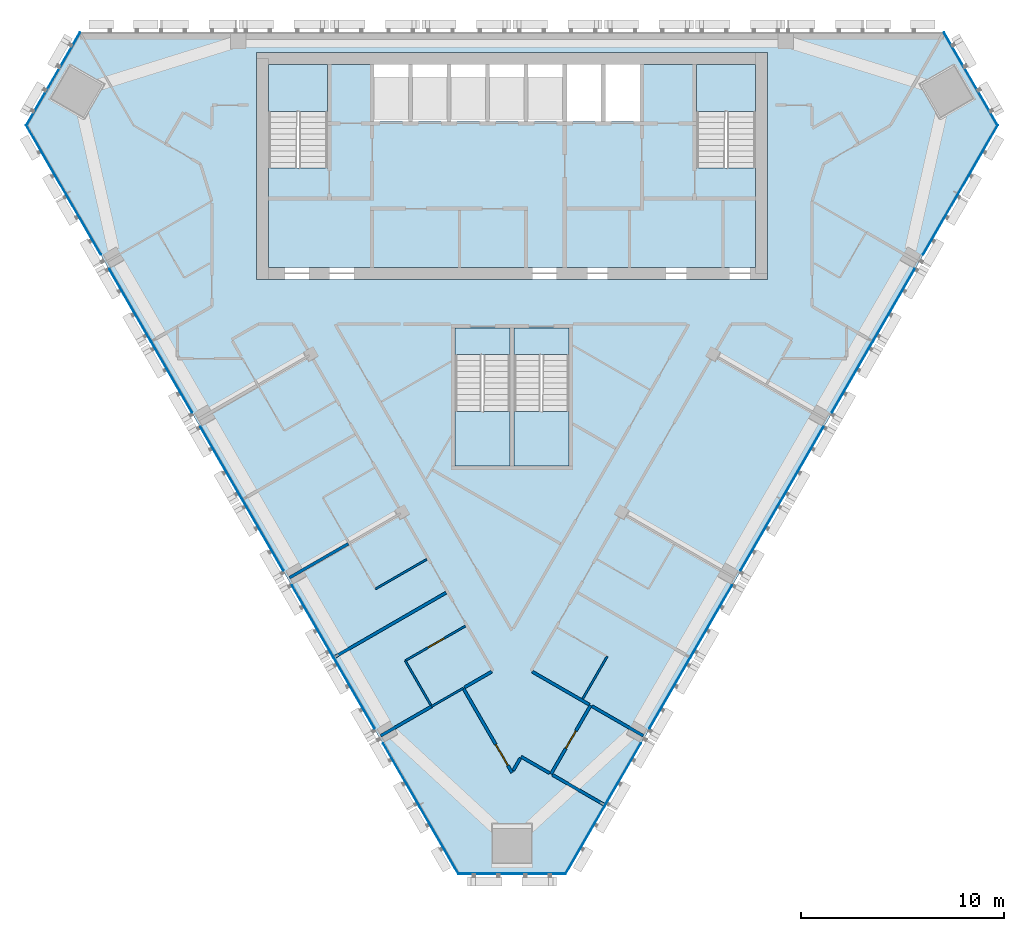
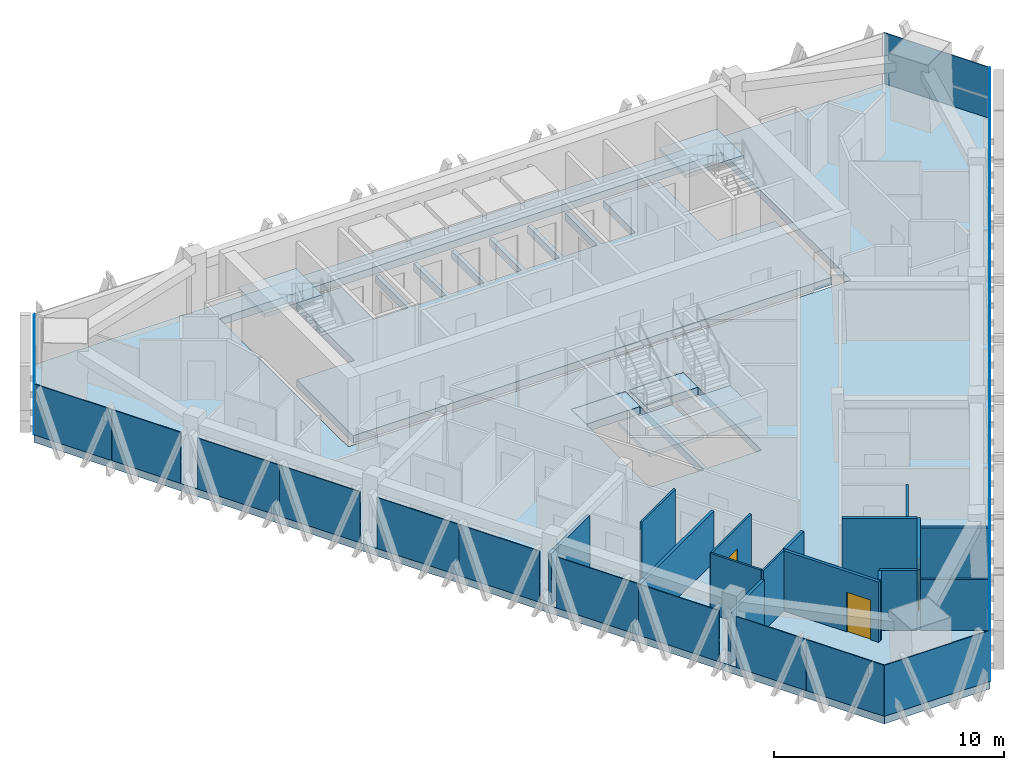
# One storey, part 7 of 15: 23 plates, 16 walls, 8 slabs, 3 doors, 3 openings, 9 elements without a shape of their own.
"""IFC4 building model written with IfcOpenShell, lengths in metres."""

from ifc_helpers import new_model, si_unit, direction, frame, frame_2d, origin, origin_2d, place, context, subcontext, project, spatial, polyline, rectangle, outline, extrude, material, layer, layer_set, type_object, element, fill, aggregate, save


model = new_model("IFC4")

# Units and contexts
model_context = context("Model", 3, precision=1e-05, world=origin(), true_north=direction((0.0, 1.0)))
body_context = subcontext(model_context, "Body", "Model", "MODEL_VIEW")
ifc_project = project(units=[si_unit("LENGTHUNIT", "METRE"), si_unit("AREAUNIT", "SQUARE_METRE"), si_unit("VOLUMEUNIT", "CUBIC_METRE"), si_unit("PLANEANGLEUNIT", "RADIAN"), si_unit("MASSUNIT", "GRAM", prefix="KILO")], contexts=[model_context])

# Site, building, storey
site_placement = place(None, origin())
site = spatial("IfcSite", under=ifc_project, at=site_placement, CompositionType="ELEMENT")
building_placement = place(site_placement, origin())
building = spatial("IfcBuilding", under=site, at=building_placement, Name="Altiplano Prism Tower", CompositionType="ELEMENT")
storey_placement = place(building_placement, frame((0.0, 0.0, 246.39990234375)))
storey = spatial("IfcBuildingStorey", under=building, at=storey_placement, Name="L63", CompositionType="ELEMENT", Elevation=246.39990234375)

# Curtain wall, plate
ifc_material_1 = material(Name="Aluminium and glass", Category="aluminium")
ifc_layer_1 = layer(ifc_material_1, 0.280029296875)
ifc_layer_set_1 = layer_set([ifc_layer_1], Name="Aluminium and glass")
curtain_wall_type = type_object("IfcCurtainWallType", Name="CW1 typical co-living unitised curtain wall", PredefinedType="NOTDEFINED", material=ifc_layer_set_1)
curtain_wall_1_placement = place(storey_placement, origin())
curtain_wall_1 = element("IfcCurtainWall", 1, at=curtain_wall_1_placement, inside=storey, type_object=curtain_wall_type, Name="CW1 curtain wall north-west chamfer L63", PredefinedType="NOTDEFINED")
ifc_material_2 = material(Name="Clear glass", Category="glass")
ifc_layer_2 = layer(ifc_material_2, 0.0400390625)
ifc_layer_set_2 = layer_set([ifc_layer_2], Name="Clear glass")
plate_type = type_object("IfcPlateType", Name="CW1 insulated glass unit 40", PredefinedType="CURTAIN_PANEL", material=ifc_layer_set_2)
plate_1_placement = place(storey_placement, frame((62.3759765625, 102.691162109375, 0.0), z_axis=(0.0, 0.0, 1.0), x_axis=(-0.500000016581, -0.866025394211, 0.0)))
plate_1 = element("IfcPlate", 2, at=plate_1_placement, type_object=plate_type, Name="CW1 panel", PredefinedType="CURTAIN_PANEL", context=body_context, shape_type="SweptSolid", body=[
    extrude(rectangle(XDim=5.299072265625, YDim=0.0400390625, at=origin_2d()), origin(), (0.0, 0.0, 1.0), 2.699951171875),
])
aggregate(curtain_wall_1, [plate_1])

# Curtain wall, plates
curtain_wall_2_placement = place(storey_placement, origin())
curtain_wall_2 = element("IfcCurtainWall", 3, at=curtain_wall_2_placement, inside=storey, type_object=curtain_wall_type, Name="CW1 curtain wall south-west face L63", PredefinedType="NOTDEFINED")
plate_2_placement = place(storey_placement, frame((62.025390625, 98.720458984375, 0.0), z_axis=(0.0, 0.0, 1.0), x_axis=(0.500000005713, -0.866025400486, 0.0)))
plate_2 = element("IfcPlate", 4, at=plate_2_placement, type_object=plate_type, Name="CW1 panel", PredefinedType="CURTAIN_PANEL", context=body_context, shape_type="SweptSolid", body=[
    extrude(rectangle(XDim=3.89697265625, YDim=0.0400390625, at=origin_2d()), origin(), (0.0, 0.0, 1.0), 2.699951171875),
])
plate_3_placement = place(storey_placement, frame((63.865234375, 95.53369140625, 0.0), z_axis=(0.0, 0.0, 1.0), x_axis=(0.500000005713, -0.866025400486, 0.0)))
plate_3 = element("IfcPlate", 5, at=plate_3_placement, type_object=plate_type, Name="CW1 panel", PredefinedType="CURTAIN_PANEL", context=body_context, shape_type="SweptSolid", body=[
    extrude(rectangle(XDim=3.442626953125, YDim=0.0400390625, at=origin_2d()), origin(), (0.0, 0.0, 1.0), 2.699951171875),
])
plate_4_placement = place(storey_placement, frame((66.174560546875, 91.53369140625, 0.0), z_axis=(0.0, 0.0, 1.0), x_axis=(0.500000005713, -0.866025400486, 0.0)))
plate_4 = element("IfcPlate", 6, at=plate_4_placement, type_object=plate_type, Name="CW1 panel", PredefinedType="CURTAIN_PANEL", context=body_context, shape_type="SweptSolid", body=[
    extrude(rectangle(XDim=4.114501953125, YDim=0.0400390625, at=origin_2d()), origin(), (0.0, 0.0, 1.0), 2.699951171875),
])
plate_5_placement = place(storey_placement, frame((68.217041015625, 87.99609375, 0.0), z_axis=(0.0, 0.0, 1.0), x_axis=(0.500000005713, -0.866025400486, 0.0)))
plate_5 = element("IfcPlate", 7, at=plate_5_placement, type_object=plate_type, Name="CW1 panel", PredefinedType="CURTAIN_PANEL", context=body_context, shape_type="SweptSolid", body=[
    extrude(rectangle(XDim=4.035400390625, YDim=0.0400390625, at=origin_2d()), origin(), (0.0, 0.0, 1.0), 2.699951171875),
])
plate_6_placement = place(storey_placement, frame((70.674560546875, 83.739501953125, 0.0), z_axis=(0.0, 0.0, 1.0), x_axis=(0.500000005713, -0.866025400486, 0.0)))
plate_6 = element("IfcPlate", 8, at=plate_6_placement, type_object=plate_type, Name="CW1 panel", PredefinedType="CURTAIN_PANEL", context=body_context, shape_type="SweptSolid", body=[
    extrude(rectangle(XDim=4.114501953125, YDim=0.0400390625, at=origin_2d()), origin(), (0.0, 0.0, 1.0), 2.699951171875),
])
plate_7_placement = place(storey_placement, frame((72.717041015625, 80.201904296875, 0.0), z_axis=(0.0, 0.0, 1.0), x_axis=(0.500000005713, -0.866025400486, 0.0)))
plate_7 = element("IfcPlate", 9, at=plate_7_placement, type_object=plate_type, Name="CW1 panel", PredefinedType="CURTAIN_PANEL", context=body_context, shape_type="SweptSolid", body=[
    extrude(rectangle(XDim=4.035400390625, YDim=0.0400390625, at=origin_2d()), origin(), (0.0, 0.0, 1.0), 2.699951171875),
])
plate_8_placement = place(storey_placement, frame((75.174560546875, 75.9453125, 0.0), z_axis=(0.0, 0.0, 1.0), x_axis=(0.500000005713, -0.866025400486, 0.0)))
plate_8 = element("IfcPlate", 10, at=plate_8_placement, type_object=plate_type, Name="CW1 panel", PredefinedType="CURTAIN_PANEL", context=body_context, shape_type="SweptSolid", body=[
    extrude(rectangle(XDim=4.114501953125, YDim=0.0400390625, at=origin_2d()), origin(), (0.0, 0.0, 1.0), 2.699951171875),
])
plate_9_placement = place(storey_placement, frame((77.217041015625, 72.40771484375, 0.0), z_axis=(0.0, 0.0, 1.0), x_axis=(0.500000005713, -0.866025400486, 0.0)))
plate_9 = element("IfcPlate", 11, at=plate_9_placement, type_object=plate_type, Name="CW1 panel", PredefinedType="CURTAIN_PANEL", context=body_context, shape_type="SweptSolid", body=[
    extrude(rectangle(XDim=4.035400390625, YDim=0.0400390625, at=origin_2d()), origin(), (0.0, 0.0, 1.0), 2.699951171875),
])
plate_10_placement = place(storey_placement, frame((79.5263671875, 68.407958984375, 0.0), z_axis=(0.0, 0.0, 1.0), x_axis=(0.500000005713, -0.866025400486, 0.0)))
plate_10 = element("IfcPlate", 12, at=plate_10_placement, type_object=plate_type, Name="CW1 panel", PredefinedType="CURTAIN_PANEL", context=body_context, shape_type="SweptSolid", body=[
    extrude(rectangle(XDim=3.521484375, YDim=0.0400390625, at=origin_2d()), origin(), (0.0, 0.0, 1.0), 2.699951171875),
])
plate_11_placement = place(storey_placement, frame((81.385986328125, 65.186767578125, 0.0), z_axis=(0.0, 0.0, 1.0), x_axis=(0.500000005713, -0.866025400486, 0.0)))
plate_11 = element("IfcPlate", 13, at=plate_11_placement, type_object=plate_type, Name="CW1 panel", PredefinedType="CURTAIN_PANEL", context=body_context, shape_type="SweptSolid", body=[
    extrude(rectangle(XDim=3.89697265625, YDim=0.0400390625, at=origin_2d()), origin(), (0.0, 0.0, 1.0), 2.699951171875),
])
aggregate(curtain_wall_2, [plate_2, plate_3, plate_4, plate_5, plate_6, plate_7, plate_8, plate_9, plate_10, plate_11])

# Curtain wall, plate
curtain_wall_3_placement = place(storey_placement, origin())
curtain_wall_3 = element("IfcCurtainWall", 14, at=curtain_wall_3_placement, inside=storey, type_object=curtain_wall_type, Name="CW1 curtain wall south chamfer L63", PredefinedType="NOTDEFINED")
plate_12_placement = place(storey_placement, frame((85.0, 63.505126953125, 0.0), z_axis=(0.0, 0.0, 1.0), x_axis=(1.0, 0.0, 0.0)))
plate_12 = element("IfcPlate", 15, at=plate_12_placement, type_object=plate_type, Name="CW1 panel", PredefinedType="CURTAIN_PANEL", context=body_context, shape_type="SweptSolid", body=[
    extrude(rectangle(XDim=5.299072265625, YDim=0.0400390625, at=origin_2d()), origin(), (0.0, 0.0, 1.0), 2.699951171875),
])
aggregate(curtain_wall_3, [plate_12])

# Curtain wall, plates
curtain_wall_4_placement = place(storey_placement, origin())
curtain_wall_4 = element("IfcCurtainWall", 16, at=curtain_wall_4_placement, inside=storey, type_object=curtain_wall_type, Name="CW1 curtain wall south-east face L63", PredefinedType="NOTDEFINED")
plate_13_placement = place(storey_placement, frame((88.614013671875, 65.186767578125, 0.0), z_axis=(0.0, 0.0, 1.0), x_axis=(0.500000005713, 0.866025400486, 0.0)))
plate_13 = element("IfcPlate", 17, at=plate_13_placement, type_object=plate_type, Name="CW1 panel", PredefinedType="CURTAIN_PANEL", context=body_context, shape_type="SweptSolid", body=[
    extrude(rectangle(XDim=3.89697265625, YDim=0.0400390625, at=origin_2d()), origin(), (0.0, 0.0, 1.0), 2.699951171875),
])
plate_14_placement = place(storey_placement, frame((90.4736328125, 68.407958984375, 0.0), z_axis=(0.0, 0.0, 1.0), x_axis=(0.500000005713, 0.866025400486, 0.0)))
plate_14 = element("IfcPlate", 18, at=plate_14_placement, type_object=plate_type, Name="CW1 panel", PredefinedType="CURTAIN_PANEL", context=body_context, shape_type="SweptSolid", body=[
    extrude(rectangle(XDim=3.521484375, YDim=0.0400390625, at=origin_2d()), origin(), (0.0, 0.0, 1.0), 2.699951171875),
])
plate_15_placement = place(storey_placement, frame((92.782958984375, 72.40771484375, 0.0), z_axis=(0.0, 0.0, 1.0), x_axis=(0.500000005713, 0.866025400486, 0.0)))
plate_15 = element("IfcPlate", 19, at=plate_15_placement, type_object=plate_type, Name="CW1 panel", PredefinedType="CURTAIN_PANEL", context=body_context, shape_type="SweptSolid", body=[
    extrude(rectangle(XDim=4.035400390625, YDim=0.0400390625, at=origin_2d()), origin(), (0.0, 0.0, 1.0), 2.699951171875),
])
plate_16_placement = place(storey_placement, frame((94.825439453125, 75.9453125, 0.0), z_axis=(0.0, 0.0, 1.0), x_axis=(0.500000005713, 0.866025400486, 0.0)))
plate_16 = element("IfcPlate", 20, at=plate_16_placement, type_object=plate_type, Name="CW1 panel", PredefinedType="CURTAIN_PANEL", context=body_context, shape_type="SweptSolid", body=[
    extrude(rectangle(XDim=4.114501953125, YDim=0.0400390625, at=origin_2d()), origin(), (0.0, 0.0, 1.0), 2.699951171875),
])
plate_17_placement = place(storey_placement, frame((97.282958984375, 80.201904296875, 0.0), z_axis=(0.0, 0.0, 1.0), x_axis=(0.500000005713, 0.866025400486, 0.0)))
plate_17 = element("IfcPlate", 21, at=plate_17_placement, type_object=plate_type, Name="CW1 panel", PredefinedType="CURTAIN_PANEL", context=body_context, shape_type="SweptSolid", body=[
    extrude(rectangle(XDim=4.035400390625, YDim=0.0400390625, at=origin_2d()), origin(), (0.0, 0.0, 1.0), 2.699951171875),
])
plate_18_placement = place(storey_placement, frame((99.325439453125, 83.739501953125, 0.0), z_axis=(0.0, 0.0, 1.0), x_axis=(0.500000005713, 0.866025400486, 0.0)))
plate_18 = element("IfcPlate", 22, at=plate_18_placement, type_object=plate_type, Name="CW1 panel", PredefinedType="CURTAIN_PANEL", context=body_context, shape_type="SweptSolid", body=[
    extrude(rectangle(XDim=4.114501953125, YDim=0.0400390625, at=origin_2d()), origin(), (0.0, 0.0, 1.0), 2.699951171875),
])
plate_19_placement = place(storey_placement, frame((101.782958984375, 87.99609375, 0.0), z_axis=(0.0, 0.0, 1.0), x_axis=(0.500000005713, 0.866025400486, 0.0)))
plate_19 = element("IfcPlate", 23, at=plate_19_placement, type_object=plate_type, Name="CW1 panel", PredefinedType="CURTAIN_PANEL", context=body_context, shape_type="SweptSolid", body=[
    extrude(rectangle(XDim=4.035400390625, YDim=0.0400390625, at=origin_2d()), origin(), (0.0, 0.0, 1.0), 2.699951171875),
])
plate_20_placement = place(storey_placement, frame((103.825439453125, 91.53369140625, 0.0), z_axis=(0.0, 0.0, 1.0), x_axis=(0.500000005713, 0.866025400486, 0.0)))
plate_20 = element("IfcPlate", 24, at=plate_20_placement, type_object=plate_type, Name="CW1 panel", PredefinedType="CURTAIN_PANEL", context=body_context, shape_type="SweptSolid", body=[
    extrude(rectangle(XDim=4.114501953125, YDim=0.0400390625, at=origin_2d()), origin(), (0.0, 0.0, 1.0), 2.699951171875),
])
plate_21_placement = place(storey_placement, frame((106.134765625, 95.53369140625, 0.0), z_axis=(0.0, 0.0, 1.0), x_axis=(0.500000005713, 0.866025400486, 0.0)))
plate_21 = element("IfcPlate", 25, at=plate_21_placement, type_object=plate_type, Name="CW1 panel", PredefinedType="CURTAIN_PANEL", context=body_context, shape_type="SweptSolid", body=[
    extrude(rectangle(XDim=3.442626953125, YDim=0.0400390625, at=origin_2d()), origin(), (0.0, 0.0, 1.0), 2.699951171875),
])
plate_22_placement = place(storey_placement, frame((107.974609375, 98.720458984375, 0.0), z_axis=(0.0, 0.0, 1.0), x_axis=(0.500000005713, 0.866025400486, 0.0)))
plate_22 = element("IfcPlate", 26, at=plate_22_placement, type_object=plate_type, Name="CW1 panel", PredefinedType="CURTAIN_PANEL", context=body_context, shape_type="SweptSolid", body=[
    extrude(rectangle(XDim=3.89697265625, YDim=0.0400390625, at=origin_2d()), origin(), (0.0, 0.0, 1.0), 2.699951171875),
])
aggregate(curtain_wall_4, [plate_13, plate_14, plate_15, plate_16, plate_17, plate_18, plate_19, plate_20, plate_21, plate_22])

# Curtain wall, plate
curtain_wall_5_placement = place(storey_placement, origin())
curtain_wall_5 = element("IfcCurtainWall", 27, at=curtain_wall_5_placement, inside=storey, type_object=curtain_wall_type, Name="CW1 curtain wall north-east chamfer L63", PredefinedType="NOTDEFINED")
plate_23_placement = place(storey_placement, frame((107.6240234375, 102.691162109375, 0.0), z_axis=(0.0, 0.0, 1.0), x_axis=(-0.500000016581, 0.866025394211, 0.0)))
plate_23 = element("IfcPlate", 28, at=plate_23_placement, type_object=plate_type, Name="CW1 panel", PredefinedType="CURTAIN_PANEL", context=body_context, shape_type="SweptSolid", body=[
    extrude(rectangle(XDim=5.299072265625, YDim=0.0400390625, at=origin_2d()), origin(), (0.0, 0.0, 1.0), 2.699951171875),
])
aggregate(curtain_wall_5, [plate_23])

# Slabs
ifc_material_3 = material(Name="Concrete C40/50", Category="concrete")
ifc_layer_3 = layer(ifc_material_3, 0.39990234375)
ifc_layer_set_3 = layer_set([ifc_layer_3], Name="Concrete C40/50")
slab_type_1 = type_object("IfcSlabType", Name="Core floor slab 400", PredefinedType="FLOOR", material=ifc_layer_set_3)
slab_1_placement = place(storey_placement, frame((0.0, 0.0, -0.39990234375)))
element("IfcSlab", 29, at=slab_1_placement, inside=storey, type_object=slab_type_1, Name="Core floor slab L63", PredefinedType="FLOOR", context=body_context, shape_type="SweptSolid", body=[
    extrude(outline(polyline([(97.0, 98.31005859375), (94.10009765625, 98.31005859375), (94.10009765625, 103.39990234375), (91.300048828125, 103.39990234375), (91.300048828125, 100.60009765625), (89.60009765625, 100.60009765625), (89.60009765625, 103.39990234375), (89.39990234375, 103.39990234375), (89.39990234375, 100.60009765625), (87.699951171875, 100.60009765625), (87.699951171875, 103.39990234375), (87.5, 103.39990234375), (87.5, 100.60009765625), (85.800048828125, 100.60009765625), (85.800048828125, 103.39990234375), (85.60009765625, 103.39990234375), (85.60009765625, 100.60009765625), (83.89990234375, 100.60009765625), (83.89990234375, 103.39990234375), (83.699951171875, 103.39990234375), (83.699951171875, 100.60009765625), (82.0, 100.60009765625), (82.0, 103.39990234375), (81.800048828125, 103.39990234375), (81.800048828125, 100.60009765625), (80.10009765625, 100.60009765625), (80.10009765625, 103.39990234375), (79.89990234375, 103.39990234375), (79.89990234375, 100.60009765625), (78.199951171875, 100.60009765625), (78.199951171875, 103.39990234375), (75.89990234375, 103.39990234375), (75.89990234375, 98.31005859375), (73.0, 98.31005859375), (73.0, 93.39990234375), (97.0, 93.39990234375), (97.0, 98.31005859375)])), origin(), (0.0, 0.0, 1.0), 0.39990234375),
])
slab_2_placement = place(storey_placement, frame((0.0, 0.0, -0.39990234375)))
element("IfcSlab", 30, at=slab_2_placement, inside=storey, type_object=slab_type_1, Name="Stair 3A landing slab L63", PredefinedType="FLOOR", context=body_context, shape_type="SweptSolid", body=[
    extrude(outline(polyline([(82.199951171875, 89.096923828125), (84.89990234375, 89.096923828125), (84.89990234375, 90.39990234375), (82.199951171875, 90.39990234375), (82.199951171875, 89.096923828125)])), origin(), (0.0, 0.0, 1.0), 0.39990234375),
])
slab_3_placement = place(storey_placement, frame((0.0, 0.0, -0.39990234375)))
element("IfcSlab", 31, at=slab_3_placement, inside=storey, type_object=slab_type_1, Name="Stair 3B landing slab L63", PredefinedType="FLOOR", context=body_context, shape_type="SweptSolid", body=[
    extrude(outline(polyline([(85.10009765625, 89.096923828125), (87.800048828125, 89.096923828125), (87.800048828125, 90.39990234375), (85.10009765625, 90.39990234375), (85.10009765625, 89.096923828125)])), origin(), (0.0, 0.0, 1.0), 0.39990234375),
])
ifc_layer_4 = layer(ifc_material_3, 0.39990234375)
ifc_layer_set_4 = layer_set([ifc_layer_4], Name="Concrete C40/50")
slab_type_2 = type_object("IfcSlabType", Name="Post-tensioned flat slab 400", PredefinedType="FLOOR", material=ifc_layer_set_4)
slab_4_placement = place(storey_placement, frame((0.0, 0.0, -0.39990234375)))
element("IfcSlab", 32, at=slab_4_placement, inside=storey, type_object=slab_type_2, Name="Floor slab L63", PredefinedType="FLOOR", context=body_context, shape_type="SweptSolid", body=[
    extrude(outline(polyline([(82.345458984375, 63.485107421875), (61.03125, 100.402099609375), (63.685791015625, 105.0), (106.314208984375, 105.0), (108.96875, 100.402099609375), (87.654541015625, 63.485107421875), (82.345458984375, 63.485107421875)]), holes=[polyline([(72.39990234375, 104.0), (72.39990234375, 92.800048828125), (97.60009765625, 92.800048828125), (97.60009765625, 104.0), (72.39990234375, 104.0)]), polyline([(84.89990234375, 90.39990234375), (82.199951171875, 90.39990234375), (82.199951171875, 83.60009765625), (84.89990234375, 83.60009765625), (84.89990234375, 90.39990234375)]), polyline([(87.800048828125, 83.60009765625), (87.800048828125, 90.39990234375), (85.10009765625, 90.39990234375), (85.10009765625, 83.60009765625), (87.800048828125, 83.60009765625)])]), origin(), (0.0, 0.0, 1.0), 0.39990234375),
])

# Stair, slab
stair_type_1 = type_object("IfcStairType", Name="Exit stair 1400", PredefinedType="HALF_TURN_STAIR", material=ifc_material_3)
stair_1_placement = place(storey_placement, origin())
stair_1 = element("IfcStair", 33, at=stair_1_placement, inside=storey, type_object=stair_type_1, Name="L63 Exit Stair 1", PredefinedType="HALF_TURN_STAIR")
ifc_layer_5 = layer(ifc_material_3, 0.199951171875)
ifc_layer_set_5 = layer_set([ifc_layer_5], Name="Concrete C40/50")
slab_type_3 = type_object("IfcSlabType", Name="Stair landing 200", PredefinedType="LANDING", material=ifc_layer_set_5)
slab_5_placement = place(storey_placement, frame((0.0, 0.0, 1.60009765625)))
slab_5 = element("IfcSlab", 34, at=slab_5_placement, type_object=slab_type_3, Name="ST1 landing 1", PredefinedType="LANDING", context=body_context, shape_type="SweptSolid", body=[
    extrude(outline(polyline([(75.89990234375, 101.096923828125), (75.89990234375, 103.39990234375), (73.0, 103.39990234375), (73.0, 101.096923828125), (75.89990234375, 101.096923828125)])), origin(), (0.0, 0.0, 1.0), 0.199951171875),
])
aggregate(stair_1, [slab_5])

stair_2_placement = place(storey_placement, origin())
stair_2 = element("IfcStair", 35, at=stair_2_placement, inside=storey, type_object=stair_type_1, Name="L63 Exit Stair 2", PredefinedType="HALF_TURN_STAIR")
slab_6_placement = place(storey_placement, frame((0.0, 0.0, 1.60009765625)))
slab_6 = element("IfcSlab", 36, at=slab_6_placement, type_object=slab_type_3, Name="ST2 landing 1", PredefinedType="LANDING", context=body_context, shape_type="SweptSolid", body=[
    extrude(outline(polyline([(97.0, 101.096923828125), (97.0, 103.39990234375), (94.10009765625, 103.39990234375), (94.10009765625, 101.096923828125), (97.0, 101.096923828125)])), origin(), (0.0, 0.0, 1.0), 0.199951171875),
])
aggregate(stair_2, [slab_6])

stair_type_2 = type_object("IfcStairType", Name="Exit stair 1300", PredefinedType="HALF_TURN_STAIR", material=ifc_material_3)
stair_3_placement = place(storey_placement, origin())
stair_3 = element("IfcStair", 37, at=stair_3_placement, inside=storey, type_object=stair_type_2, Name="L63 Exit Stair 3A", PredefinedType="HALF_TURN_STAIR")
slab_7_placement = place(storey_placement, frame((0.0, 0.0, 1.60009765625)))
slab_7 = element("IfcSlab", 38, at=slab_7_placement, type_object=slab_type_3, Name="ST3A landing 1", PredefinedType="LANDING", context=body_context, shape_type="SweptSolid", body=[
    extrude(outline(polyline([(82.199951171875, 86.302978515625), (82.199951171875, 83.60009765625), (84.89990234375, 83.60009765625), (84.89990234375, 86.302978515625), (82.199951171875, 86.302978515625)])), origin(), (0.0, 0.0, 1.0), 0.199951171875),
])
aggregate(stair_3, [slab_7])

stair_4_placement = place(storey_placement, origin())
stair_4 = element("IfcStair", 39, at=stair_4_placement, inside=storey, type_object=stair_type_2, Name="L63 Exit Stair 3B", PredefinedType="HALF_TURN_STAIR")
slab_8_placement = place(storey_placement, frame((0.0, 0.0, 1.60009765625)))
slab_8 = element("IfcSlab", 40, at=slab_8_placement, type_object=slab_type_3, Name="ST3B landing 1", PredefinedType="LANDING", context=body_context, shape_type="SweptSolid", body=[
    extrude(outline(polyline([(85.10009765625, 86.302978515625), (85.10009765625, 83.60009765625), (87.800048828125, 83.60009765625), (87.800048828125, 86.302978515625), (85.10009765625, 86.302978515625)])), origin(), (0.0, 0.0, 1.0), 0.199951171875),
])
aggregate(stair_4, [slab_8])

# Walls
ifc_material_4 = material(Name="Plasterboard on steel stud", Category="steel")
ifc_layer_6 = layer(ifc_material_4, 0.10009765625)
ifc_layer_set_6 = layer_set([ifc_layer_6], Name="Plasterboard on steel stud")
wall_type_1 = type_object("IfcWallType", Name="Partition 100 unit", PredefinedType="PARTITIONING", material=ifc_layer_set_6)
wall_1_placement = place(storey_placement, frame((80.802490234375, 79.00732421875, 0.0), z_axis=(0.0, 0.0, 1.0), x_axis=(-0.866025730634, -0.499999433879, 0.0)))
element("IfcWall", 41, at=wall_1_placement, inside=storey, type_object=wall_type_1, Name="Partition P02 L63 061", PredefinedType="PARTITIONING", context=body_context, shape_type="SweptSolid", body=[
    extrude(rectangle(XDim=2.9248046875, YDim=0.10009765625, at=frame_2d((1.46240234375, 0.0))), origin(), (0.0, 0.0, 1.0), 3.2001953125),
])
wall_2_placement = place(storey_placement, frame((80.9990234375, 71.817138671875, 0.0), z_axis=(0.0, 0.0, 1.0), x_axis=(-0.499976333282, 0.866039067339, 0.0)))
element("IfcWall", 42, at=wall_2_placement, inside=storey, type_object=wall_type_1, Name="Partition P02 L63 063", PredefinedType="PARTITIONING", context=body_context, shape_type="SweptSolid", body=[
    extrude(rectangle(XDim=2.52490234375, YDim=0.10009765625, at=frame_2d((1.262451171875, 0.0))), origin(), (0.0, 0.0, 1.0), 3.2001953125),
])

# Wall, opening, door
wall_3_placement = place(storey_placement, frame((79.736572265625, 74.00390625, 0.0), z_axis=(0.0, 0.0, 1.0), x_axis=(0.866001587311, 0.500041249073, 0.0)))
wall_3 = element("IfcWall", 43, at=wall_3_placement, inside=storey, type_object=wall_type_1, Name="Partition P02 L63 064", PredefinedType="PARTITIONING", context=body_context, shape_type="SweptSolid", body=[
    extrude(rectangle(XDim=3.425048828125, YDim=0.10009765625, at=frame_2d((1.71240234375, 0.0))), origin(), (0.0, 0.0, 1.0), 3.2001953125),
])
opening_1_placement = place(wall_3_placement, frame((1.300048828125, 0.0, 0.0)))
opening_1 = element("IfcOpeningElement", 44, at=opening_1_placement, cuts=wall_3, Name="Opening D2063", PredefinedType="OPENING", context=body_context, shape_type="SweptSolid", body=[
    extrude(rectangle(XDim=0.89990234375, YDim=2.10009765625, at=frame_2d((0.449951171875, 1.050048828125))), frame((0.0, 0.060546875, 0.0), z_axis=(0.0, -1.0, 0.0), x_axis=(1.0, 0.0, 0.0)), (0.0, 0.0, 1.0), 0.12109375),
])
ifc_material_5 = material(Name="Timber", Category="wood")
door_type_1 = type_object("IfcDoorType", Name="Accessible ensuite door 900 x 2100", OperationType="NOTDEFINED", PredefinedType="NOTDEFINED", material=ifc_material_5)
door_1_placement = place(opening_1_placement, origin())
door_1 = element("IfcDoor", 45, at=door_1_placement, inside=storey, type_object=door_type_1, Name="Door D2063", OperationType="SINGLE_SWING_LEFT", OverallHeight=2.10009765625, OverallWidth=0.89990234375, PredefinedType="NOTDEFINED", context=body_context, shape_type="SweptSolid", body=[
    extrude(rectangle(XDim=0.89990234375, YDim=2.10009765625, at=frame_2d((0.449951171875, 1.050048828125))), frame((0.0, 0.02490234375, 0.0), z_axis=(0.0, -1.0, 0.0), x_axis=(1.0, 0.0, 0.0)), (0.0, 0.0, 1.0), 0.050048828125),
])
fill(opening_1, door_1)

# Walls
wall_4_placement = place(storey_placement, frame((89.69384765625, 74.21728515625, 0.0), z_axis=(0.0, 0.0, 1.0), x_axis=(-0.499972286653, -0.866041403502, 0.0)))
element("IfcWall", 46, at=wall_4_placement, inside=storey, type_object=wall_type_1, Name="Partition P02 L63 070", PredefinedType="PARTITIONING", context=body_context, shape_type="SweptSolid", body=[
    extrude(rectangle(XDim=2.425048828125, YDim=0.10009765625, at=frame_2d((1.21240234375, 0.0))), origin(), (0.0, 0.0, 1.0), 3.2001953125),
])
ifc_layer_7 = layer(ifc_material_4, 0.10009765625)
ifc_layer_set_7 = layer_set([ifc_layer_7], Name="Plasterboard on steel stud")
wall_type_2 = type_object("IfcWallType", Name="Partition 100 wet", PredefinedType="PARTITIONING", material=ifc_layer_set_7)
wall_5_placement = place(storey_placement, frame((81.01904296875, 71.7421875, 0.0), z_axis=(0.0, 0.0, 1.0), x_axis=(0.865989003036, 0.500063042646, 0.0)))
element("IfcWall", 47, at=wall_5_placement, inside=storey, type_object=wall_type_2, Name="Partition P03 L63 066", PredefinedType="PARTITIONING", context=body_context, shape_type="SweptSolid", body=[
    extrude(rectangle(XDim=1.820068359375, YDim=0.10009765625, at=frame_2d((0.91015625, 0.0))), origin(), (0.0, 0.0, 1.0), 3.2001953125),
])
ifc_layer_8 = layer(ifc_material_4, 0.14990234375)
ifc_layer_set_8 = layer_set([ifc_layer_8], Name="Plasterboard on steel stud")
wall_type_3 = type_object("IfcWallType", Name="Partition 150 corridor", PredefinedType="PARTITIONING", material=ifc_layer_set_8)
wall_6_placement = place(storey_placement, frame((84.002685546875, 73.46484375, 0.0), z_axis=(0.0, 0.0, 1.0), x_axis=(-0.86601511528, -0.500017819788, 0.0)))
element("IfcWall", 48, at=wall_6_placement, inside=storey, type_object=wall_type_3, Name="Partition P06 L63 017", PredefinedType="PARTITIONING", context=body_context, shape_type="SweptSolid", body=[
    extrude(rectangle(XDim=1.55029296875, YDim=0.14990234375, at=frame_2d((0.775146484375, 0.0))), origin(), (0.0, 0.0, 1.0), 3.2001953125),
])

# Wall, opening, door
wall_7_placement = place(storey_placement, frame((82.59521484375, 72.65234375, 0.0), z_axis=(0.0, 0.0, 1.0), x_axis=(0.500015396624, -0.866016514357, 0.0)))
wall_7 = element("IfcWall", 49, at=wall_7_placement, inside=storey, type_object=wall_type_3, Name="Partition P06 L63 018", PredefinedType="PARTITIONING", context=body_context, shape_type="SweptSolid", body=[
    extrude(rectangle(XDim=4.809326171875, YDim=0.14990234375, at=frame_2d((2.40478515625, 0.0))), origin(), (0.0, 0.0, 1.0), 3.2001953125),
])
opening_2_placement = place(wall_7_placement, frame((3.202880859375, 0.0, 0.0)))
opening_2 = element("IfcOpeningElement", 50, at=opening_2_placement, cuts=wall_7, Name="Opening D2064", PredefinedType="OPENING", context=body_context, shape_type="SweptSolid", body=[
    extrude(rectangle(XDim=1.199951171875, YDim=2.10009765625, at=frame_2d((0.60009765625, 1.050048828125))), frame((0.0, 0.08544921875, 0.0), z_axis=(0.0, -1.0, 0.0), x_axis=(1.0, 0.0, 0.0)), (0.0, 0.0, 1.0), 0.1708984375),
])
door_type_2 = type_object("IfcDoorType", Name="Shared room door 1200 x 2100", OperationType="NOTDEFINED", PredefinedType="NOTDEFINED", material=ifc_material_5)
door_2_placement = place(opening_2_placement, origin())
door_2 = element("IfcDoor", 51, at=door_2_placement, inside=storey, type_object=door_type_2, Name="Door D2064", OperationType="SINGLE_SWING_RIGHT", OverallHeight=2.10009765625, OverallWidth=1.199951171875, PredefinedType="NOTDEFINED", context=body_context, shape_type="SweptSolid", body=[
    extrude(rectangle(XDim=1.199951171875, YDim=2.10009765625, at=frame_2d((0.60009765625, 1.050048828125))), frame((0.0, 0.02490234375, 0.0), z_axis=(0.0, -1.0, 0.0), x_axis=(1.0, 0.0, 0.0)), (0.0, 0.0, 1.0), 0.050048828125),
])
fill(opening_2, door_2)

# Walls
wall_8_placement = place(storey_placement, frame((85.06494140625, 68.599853515625, 0.0), z_axis=(0.0, 0.0, 1.0), x_axis=(0.500055883433, 0.865993137065, 0.0)))
element("IfcWall", 52, at=wall_8_placement, inside=storey, type_object=wall_type_3, Name="Partition P06 L63 019", PredefinedType="PARTITIONING", context=body_context, shape_type="SweptSolid", body=[
    extrude(rectangle(XDim=0.697265625, YDim=0.14990234375, at=frame_2d((0.3486328125, 0.0))), origin(), (0.0, 0.0, 1.0), 3.2001953125),
])
wall_9_placement = place(storey_placement, frame((85.451171875, 69.2685546875, 0.0), z_axis=(0.0, 0.0, 1.0), x_axis=(0.866015446554, -0.500017246033, 0.0)))
element("IfcWall", 53, at=wall_9_placement, inside=storey, type_object=wall_type_3, Name="Partition P06 L63 020", PredefinedType="PARTITIONING", context=body_context, shape_type="SweptSolid", body=[
    extrude(rectangle(XDim=1.625, YDim=0.14990234375, at=frame_2d((0.8125, 0.0))), origin(), (0.0, 0.0, 1.0), 3.2001953125),
])

# Wall, opening, door
wall_10_placement = place(storey_placement, frame((86.92333984375, 68.418701171875, 0.0), z_axis=(0.0, 0.0, 1.0), x_axis=(0.500023555316, 0.866011803689, 0.0)))
wall_10 = element("IfcWall", 54, at=wall_10_placement, inside=storey, type_object=wall_type_3, Name="Partition P06 L63 021", PredefinedType="PARTITIONING", context=body_context, shape_type="SweptSolid", body=[
    extrude(rectangle(XDim=3.906982421875, YDim=0.14990234375, at=frame_2d((1.95361328125, 0.0))), origin(), (0.0, 0.0, 1.0), 3.2001953125),
])
opening_3_placement = place(wall_10_placement, frame((1.4541015625, 0.0, 0.0)))
opening_3 = element("IfcOpeningElement", 55, at=opening_3_placement, cuts=wall_10, Name="Opening D2065", PredefinedType="OPENING", context=body_context, shape_type="SweptSolid", body=[
    extrude(rectangle(XDim=1.0, YDim=2.10009765625, at=frame_2d((0.5, 1.050048828125))), frame((0.0, 0.08544921875, 0.0), z_axis=(0.0, -1.0, 0.0), x_axis=(1.0, 0.0, 0.0)), (0.0, 0.0, 1.0), 0.1708984375),
])
door_type_3 = type_object("IfcDoorType", Name="Room door 1000 x 2100", OperationType="NOTDEFINED", PredefinedType="NOTDEFINED", material=ifc_material_5)
door_3_placement = place(opening_3_placement, origin())
door_3 = element("IfcDoor", 56, at=door_3_placement, inside=storey, type_object=door_type_3, Name="Door D2065", OperationType="SINGLE_SWING_RIGHT", OverallHeight=2.10009765625, OverallWidth=1.0, PredefinedType="NOTDEFINED", context=body_context, shape_type="SweptSolid", body=[
    extrude(rectangle(XDim=1.0, YDim=2.10009765625, at=frame_2d((0.5, 1.050048828125))), frame((0.0, 0.02490234375, 0.0), z_axis=(0.0, -1.0, 0.0), x_axis=(1.0, 0.0, 0.0)), (0.0, 0.0, 1.0), 0.050048828125),
])
fill(opening_3, door_3)

# Walls
wall_11_placement = place(storey_placement, frame((88.81201171875, 71.83984375, 0.0), z_axis=(0.0, 0.0, 1.0), x_axis=(-0.866034226713, 0.499984717929, 0.0)))
element("IfcWall", 57, at=wall_11_placement, inside=storey, type_object=wall_type_3, Name="Partition P06 L63 023", PredefinedType="PARTITIONING", context=body_context, shape_type="SweptSolid", body=[
    extrude(rectangle(XDim=3.25, YDim=0.14990234375, at=frame_2d((1.625, 0.0))), origin(), (0.0, 0.0, 1.0), 3.2001953125),
])
ifc_layer_9 = layer(ifc_material_4, 0.14990234375)
ifc_layer_set_9 = layer_set([ifc_layer_9], Name="Plasterboard on steel stud")
wall_type_4 = type_object("IfcWallType", Name="Partition 150 party", PredefinedType="PARTITIONING", material=ifc_layer_set_9)
wall_12_placement = place(storey_placement, frame((74.02490234375, 78.096435546875, 0.0), z_axis=(0.0, 0.0, 1.0), x_axis=(0.866032680314, 0.499987396469, 0.0)))
element("IfcWall", 58, at=wall_12_placement, inside=storey, type_object=wall_type_4, Name="Partition P01 L63 059", PredefinedType="PARTITIONING", context=body_context, shape_type="SweptSolid", body=[
    extrude(rectangle(XDim=3.35009765625, YDim=0.14990234375, at=frame_2d((1.675048828125, 0.0))), origin(), (0.0, 0.0, 1.0), 2.7001953125),
])
wall_13_placement = place(storey_placement, frame((76.257568359375, 74.189208984375, 0.0), z_axis=(0.0, 0.0, 1.0), x_axis=(0.866025401434, 0.500000004071, 0.0)))
element("IfcWall", 59, at=wall_13_placement, inside=storey, type_object=wall_type_4, Name="Partition P01 L63 062", PredefinedType="PARTITIONING", context=body_context, shape_type="SweptSolid", body=[
    extrude(rectangle(XDim=6.34521484375, YDim=0.14990234375, at=frame_2d((3.172607421875, 0.0))), origin(), (0.0, 0.0, 1.0), 2.7001953125),
])
wall_14_placement = place(storey_placement, frame((78.52490234375, 70.30224609375, 0.0), z_axis=(0.0, 0.0, 1.0), x_axis=(0.866032430508, 0.49998782916, 0.0)))
element("IfcWall", 60, at=wall_14_placement, inside=storey, type_object=wall_type_4, Name="Partition P01 L63 065", PredefinedType="PARTITIONING", context=body_context, shape_type="SweptSolid", body=[
    extrude(rectangle(XDim=2.919921875, YDim=0.14990234375, at=frame_2d((1.4599609375, 0.0))), origin(), (0.0, 0.0, 1.0), 2.7001953125),
])
wall_15_placement = place(storey_placement, frame((89.5390625, 66.908447265625, 0.0), z_axis=(0.0, 0.0, 1.0), x_axis=(-0.866030989016, 0.499990325971, 0.0)))
element("IfcWall", 61, at=wall_15_placement, inside=storey, type_object=wall_type_4, Name="Partition P01 L63 067", PredefinedType="PARTITIONING", context=body_context, shape_type="SweptSolid", body=[
    extrude(rectangle(XDim=2.9453125, YDim=0.14990234375, at=frame_2d((1.47265625, 0.0))), origin(), (0.0, 0.0, 1.0), 2.7001953125),
])
wall_16_placement = place(storey_placement, frame((91.47509765625, 70.30224609375, 0.0), z_axis=(0.0, 0.0, 1.0), x_axis=(-0.86601045545, 0.500025890382, 0.0)))
element("IfcWall", 62, at=wall_16_placement, inside=storey, type_object=wall_type_4, Name="Partition P01 L63 068", PredefinedType="PARTITIONING", context=body_context, shape_type="SweptSolid", body=[
    extrude(rectangle(XDim=2.925048828125, YDim=0.14990234375, at=frame_2d((1.46240234375, 0.0))), origin(), (0.0, 0.0, 1.0), 2.7001953125),
])

save(model, "model.ifc")
